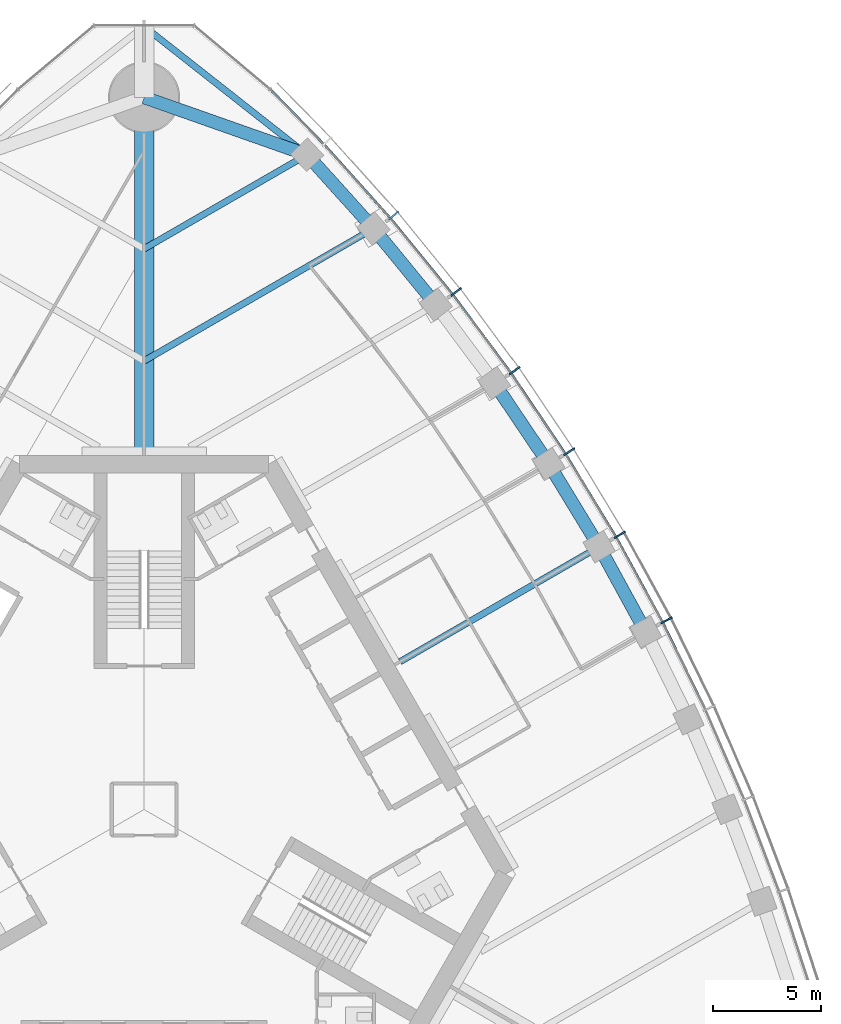
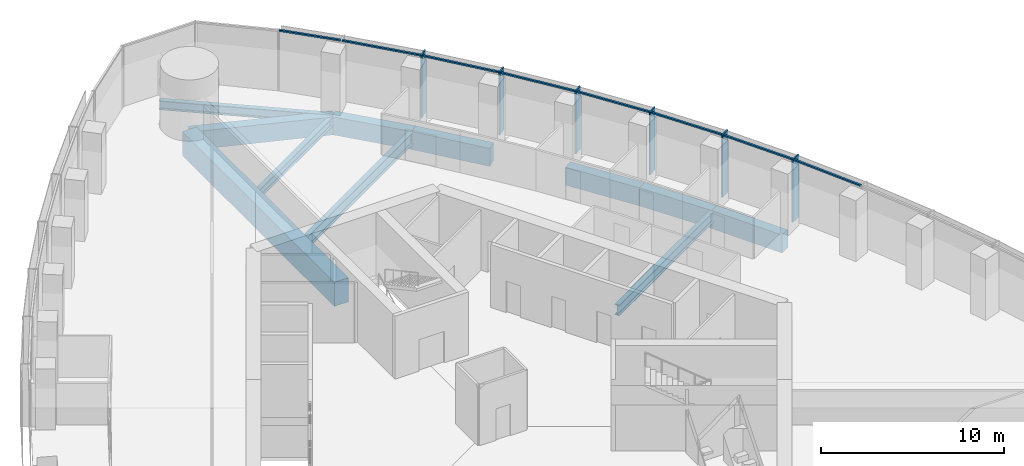
# One storey, part 7 of 20: 14 members, 11 beams, 1 element without a shape of its own.
"""IFC4 building model written with IfcOpenShell, lengths in metres."""

from ifc_helpers import new_model, si_unit, direction, frame, origin, origin_2d, place, context, subcontext, project, spatial, rectangle, i_section, extrude, material, material_profile, profile_set, type_object, element, aggregate, save


model = new_model("IFC4")

# Units and contexts
model_context = context("Model", 3, precision=1e-05, world=origin(), true_north=direction((0.0, 1.0)))
body_context = subcontext(model_context, "Body", "Model", "MODEL_VIEW")
ifc_project = project(units=[si_unit("LENGTHUNIT", "METRE"), si_unit("AREAUNIT", "SQUARE_METRE"), si_unit("VOLUMEUNIT", "CUBIC_METRE"), si_unit("PLANEANGLEUNIT", "RADIAN"), si_unit("MASSUNIT", "GRAM", prefix="KILO")], contexts=[model_context])

# Site, building, storey
site_placement = place(None, origin())
site = spatial("IfcSite", under=ifc_project, at=site_placement, CompositionType="ELEMENT")
building_placement = place(site_placement, origin())
building = spatial("IfcBuilding", under=site, at=building_placement, Name="Trefoil Bronze Tower", CompositionType="ELEMENT")
storey_placement = place(building_placement, frame((0.0, 0.0, 219.10009765625)))
storey = spatial("IfcBuildingStorey", under=building, at=storey_placement, Name="L50", CompositionType="ELEMENT", Elevation=219.10009765625)

# Curtain wall, members
ifc_material_1 = material(Name="Tinted solar-control glass", Category="glass")
curtain_wall_type = type_object("IfcCurtainWallType", Name="Bronze office curtain wall", PredefinedType="USERDEFINED", material=ifc_material_1)
curtain_wall_placement = place(storey_placement, origin())
curtain_wall = element("IfcCurtainWall", 1, at=curtain_wall_placement, inside=storey, type_object=curtain_wall_type, Name="CW-A L50 F2", ObjectType="CURTAIN WALL", PredefinedType="USERDEFINED")
ifc_material_2 = material(Name="Bronze-finish aluminium", Category="aluminium")
ifc_material_profile_1 = material_profile(ifc_material_2, rectangle(XDim=0.60009765625, YDim=0.080078125, at=origin_2d()), Name="CW-A mullion")
ifc_profile_set_1 = profile_set([ifc_material_profile_1], Name="Bronze-finish aluminium")
member_type_1 = type_object("IfcMemberType", Name="Bronze office curtain wall mullion", PredefinedType="MULLION", material=ifc_profile_set_1)
member_1_placement = place(storey_placement, frame((24.2080078125, 8.764404296875, 0.0), z_axis=(0.0, 0.0, 1.0), x_axis=(-0.888088206965, -0.459673075837, 0.0)))
member_1 = element("IfcMember", 2, at=member_1_placement, type_object=member_type_1, Name="CW-A L50 F2 mullion 6", PredefinedType="MULLION", context=body_context, shape_type="SweptSolid", body=[
    extrude(rectangle(XDim=0.60009765625, YDim=0.080078125, at=origin_2d()), origin(), (0.0, 0.0, 1.0), 4.179931640625),
])
member_2_placement = place(storey_placement, frame((22.041015625, 12.725341796875, 0.0), z_axis=(0.0, 0.0, 1.0), x_axis=(-0.866025403784, -0.5, 0.0)))
member_2 = element("IfcMember", 3, at=member_2_placement, type_object=member_type_1, Name="CW-A L50 F2 mullion 7", PredefinedType="MULLION", context=body_context, shape_type="SweptSolid", body=[
    extrude(rectangle(XDim=0.60009765625, YDim=0.080078125, at=origin_2d()), origin(), (0.0, 0.0, 1.0), 4.179931640625),
])
member_3_placement = place(storey_placement, frame((19.694091796875, 16.58251953125, 0.0), z_axis=(0.0, 0.0, 1.0), x_axis=(-0.842132664593, -0.539270410114, 0.0)))
member_3 = element("IfcMember", 4, at=member_3_placement, type_object=member_type_1, Name="CW-A L50 F2 mullion 8", PredefinedType="MULLION", context=body_context, shape_type="SweptSolid", body=[
    extrude(rectangle(XDim=0.60009765625, YDim=0.080078125, at=origin_2d()), origin(), (0.0, 0.0, 1.0), 4.179931640625),
])
member_4_placement = place(storey_placement, frame((17.167236328125, 20.335693359375, 0.0), z_axis=(0.0, 0.0, 1.0), x_axis=(-0.81640398396, -0.577481198806, 0.0)))
member_4 = element("IfcMember", 5, at=member_4_placement, type_object=member_type_1, Name="CW-A L50 F2 mullion 9", PredefinedType="MULLION", context=body_context, shape_type="SweptSolid", body=[
    extrude(rectangle(XDim=0.60009765625, YDim=0.080078125, at=origin_2d()), origin(), (0.0, 0.0, 1.0), 4.179931640625),
])
member_5_placement = place(storey_placement, frame((14.45849609375, 23.98388671875, 0.0), z_axis=(0.0, 0.0, 1.0), x_axis=(-0.788821461078, -0.614622406476, 0.0)))
member_5 = element("IfcMember", 6, at=member_5_placement, type_object=member_type_1, Name="CW-A L50 F2 mullion 10", PredefinedType="MULLION", context=body_context, shape_type="SweptSolid", body=[
    extrude(rectangle(XDim=0.60009765625, YDim=0.080078125, at=origin_2d()), origin(), (0.0, 0.0, 1.0), 4.179931640625),
])
member_6_placement = place(storey_placement, frame((11.564697265625, 27.525146484375, 0.0), z_axis=(0.0, 0.0, 1.0), x_axis=(-0.75935470958, -0.650676897576, 0.0)))
member_6 = element("IfcMember", 7, at=member_6_placement, type_object=member_type_1, Name="CW-A L50 F2 mullion 11", PredefinedType="MULLION", context=body_context, shape_type="SweptSolid", body=[
    extrude(rectangle(XDim=0.60009765625, YDim=0.080078125, at=origin_2d()), origin(), (0.0, 0.0, 1.0), 4.179931640625),
])
ifc_material_3 = material(Name="Bronze-finish aluminium", Category="aluminium")
ifc_material_profile_2 = material_profile(ifc_material_3, rectangle(XDim=0.1201171875, YDim=0.10009765625, at=origin_2d()), Name="CW-A transom")
ifc_profile_set_2 = profile_set([ifc_material_profile_2], Name="Bronze-finish aluminium")
member_type_2 = type_object("IfcMemberType", Name="Bronze office curtain wall transom", PredefinedType="USERDEFINED", material=ifc_profile_set_2)
member_7_placement = place(storey_placement, frame((25.99462890625, 4.65380859375, 4.1298828125), z_axis=(-0.439150835991, 0.898413347657, 0.0), x_axis=(-0.898413347657, -0.439150835991, 0.0)))
member_7 = element("IfcMember", 8, at=member_7_placement, type_object=member_type_2, Name="CW-A L50 F2 transom 5", ObjectType="TRANSOM", PredefinedType="USERDEFINED", context=body_context, shape_type="SweptSolid", body=[
    extrude(rectangle(XDim=0.1201171875, YDim=0.10009765625, at=origin_2d()), origin(), (0.0, 0.0, 1.0), 4.430908203125),
])
member_8_placement = place(storey_placement, frame((24.010009765625, 8.70947265625, 4.1298828125), z_axis=(-0.479973729071, 0.877282861683, 0.0), x_axis=(-0.877282861683, -0.479973729071, 0.0)))
member_8 = element("IfcMember", 9, at=member_8_placement, type_object=member_type_2, Name="CW-A L50 F2 transom 6", ObjectType="TRANSOM", PredefinedType="USERDEFINED", context=body_context, shape_type="SweptSolid", body=[
    extrude(rectangle(XDim=0.1201171875, YDim=0.10009765625, at=origin_2d()), origin(), (0.0, 0.0, 1.0), 4.421142578125),
])
member_9_placement = place(storey_placement, frame((21.845703125, 12.661376953125, 4.1298828125), z_axis=(-0.519740214649, 0.854324358354, 0.0), x_axis=(-0.854324358354, -0.519740214649, 0.0)))
member_9 = element("IfcMember", 10, at=member_9_placement, type_object=member_type_2, Name="CW-A L50 F2 transom 7", ObjectType="TRANSOM", PredefinedType="USERDEFINED", context=body_context, shape_type="SweptSolid", body=[
    extrude(rectangle(XDim=0.1201171875, YDim=0.10009765625, at=origin_2d()), origin(), (0.0, 0.0, 1.0), 4.421142578125),
])
member_10_placement = place(storey_placement, frame((19.502197265625, 16.509765625, 4.1298828125), z_axis=(-0.558509087547, 0.829498402125, 0.0), x_axis=(-0.829498402125, -0.558509087547, 0.0)))
member_10 = element("IfcMember", 11, at=member_10_placement, type_object=member_type_2, Name="CW-A L50 F2 transom 8", ObjectType="TRANSOM", PredefinedType="USERDEFINED", context=body_context, shape_type="SweptSolid", body=[
    extrude(rectangle(XDim=0.1201171875, YDim=0.10009765625, at=origin_2d()), origin(), (0.0, 0.0, 1.0), 4.4306640625),
])
member_11_placement = place(storey_placement, frame((16.978759765625, 20.254150390625, 4.1298828125), z_axis=(-0.59614822717, 0.802874393191, 0.0), x_axis=(-0.802874393191, -0.59614822717, 0.0)))
member_11 = element("IfcMember", 12, at=member_11_placement, type_object=member_type_2, Name="CW-A L50 F2 transom 9", ObjectType="TRANSOM", PredefinedType="USERDEFINED", context=body_context, shape_type="SweptSolid", body=[
    extrude(rectangle(XDim=0.1201171875, YDim=0.10009765625, at=origin_2d()), origin(), (0.0, 0.0, 1.0), 4.449951171875),
])
member_12_placement = place(storey_placement, frame((14.27392578125, 23.8935546875, 4.1298828125), z_axis=(-0.632756871921, 0.774350528531, 0.0), x_axis=(-0.774350528531, -0.632756871921, 0.0)))
member_12 = element("IfcMember", 13, at=member_12_placement, type_object=member_type_2, Name="CW-A L50 F2 transom 10", ObjectType="TRANSOM", PredefinedType="USERDEFINED", context=body_context, shape_type="SweptSolid", body=[
    extrude(rectangle(XDim=0.1201171875, YDim=0.10009765625, at=origin_2d()), origin(), (0.0, 0.0, 1.0), 4.4794921875),
])
member_13_placement = place(storey_placement, frame((11.384521484375, 27.426513671875, 4.1298828125), z_axis=(-0.66825109551, 0.743935799213, 0.0), x_axis=(-0.743935799213, -0.66825109551, 0.0)))
member_13 = element("IfcMember", 14, at=member_13_placement, type_object=member_type_2, Name="CW-A L50 F2 transom 11", ObjectType="TRANSOM", PredefinedType="USERDEFINED", context=body_context, shape_type="SweptSolid", body=[
    extrude(rectangle(XDim=0.1201171875, YDim=0.10009765625, at=origin_2d()), origin(), (0.0, 0.0, 1.0), 4.519287109375),
])
member_14_placement = place(storey_placement, frame((8.306884765625, 30.85009765625, 4.1298828125), z_axis=(-0.698646935368, 0.715466602785, 0.0), x_axis=(-0.715466602785, -0.698646935368, 0.0)))
member_14 = element("IfcMember", 15, at=member_14_placement, type_object=member_type_2, Name="CW-A L50 F2 transom 12", ObjectType="TRANSOM", PredefinedType="USERDEFINED", context=body_context, shape_type="SweptSolid", body=[
    extrude(rectangle(XDim=0.1201171875, YDim=0.10009765625, at=origin_2d()), origin(), (0.0, 0.0, 1.0), 3.483642578125),
])
aggregate(curtain_wall, [member_1, member_2, member_3, member_4, member_5, member_6, member_7, member_8, member_9, member_10, member_11, member_12, member_13, member_14])

# Beams
ifc_material_4 = material(Name="Steel C355", Category="steel")
ifc_material_profile_3 = material_profile(ifc_material_4, i_section(OverallWidth=0.300048828125, OverallDepth=0.60009765625, WebThickness=0.015380859375, FlangeThickness=0.030029296875, FilletRadius=0.027099609375, at=origin_2d()), Name="HEB 600")
ifc_profile_set_3 = profile_set([ifc_material_profile_3], Name="Steel C355")
beam_type_1 = type_object("IfcBeamType", Name="Corner edge beam HEB 600", PredefinedType="BEAM", material=ifc_profile_set_3)
beam_1_placement = place(storey_placement, frame((7.552001953125, 30.3408203125, -0.5), z_axis=(-0.785805912008, 0.618473175371, 0.0), x_axis=(-0.618473175371, -0.785805912008, 0.0)))
element("IfcBeam", 16, at=beam_1_placement, inside=storey, type_object=beam_type_1, Name="Corner edge beam F2A L50", PredefinedType="BEAM", context=body_context, shape_type="SweptSolid", body=[
    extrude(i_section(OverallWidth=0.300048828125, OverallDepth=0.60009765625, WebThickness=0.015380859375, FlangeThickness=0.030029296875, FilletRadius=0.027099609375, at=origin_2d()), origin(), (0.0, 0.0, 1.0), 9.610595703125),
])
ifc_material_5 = material(Name="Concrete B80", Category="concrete")
ifc_material_profile_4 = material_profile(ifc_material_5, rectangle(XDim=0.89990234375, YDim=1.60009765625, at=origin_2d()), Name="RC 900x1600")
ifc_profile_set_4 = profile_set([ifc_material_profile_4], Name="Concrete B80")
beam_type_2 = type_object("IfcBeamType", Name="Corner girder RC 900x1600", PredefinedType="BEAM", material=ifc_profile_set_4)
beam_2_placement = place(storey_placement, frame((0.0, 16.39990234375, -1.0), z_axis=(0.0, 1.0, 0.0), x_axis=(-1.0, 0.0, 0.0)))
element("IfcBeam", 17, at=beam_2_placement, inside=storey, type_object=beam_type_2, Name="Corner girder K2 L50", PredefinedType="BEAM", context=body_context, shape_type="SweptSolid", body=[
    extrude(rectangle(XDim=0.89990234375, YDim=1.60009765625, at=origin_2d()), origin(), (0.0, 0.0, 1.0), 16.60009765625),
])
ifc_material_6 = material(Name="Concrete B80", Category="concrete")
ifc_material_profile_5 = material_profile(ifc_material_6, rectangle(XDim=0.60009765625, YDim=1.199951171875, at=origin_2d()), Name="RC 600x1200")
ifc_profile_set_5 = profile_set([ifc_material_profile_5], Name="Concrete B80")
beam_type_3 = type_object("IfcBeamType", Name="End spandrel beam RC 600x1200", PredefinedType="SPANDREL", material=ifc_profile_set_5)
beam_3_placement = place(storey_placement, frame((7.552001953125, 30.3408203125, -0.800048828125), z_axis=(-0.943234397359, 0.332127794137, 0.0), x_axis=(-0.332127794137, -0.943234397359, 0.0)))
element("IfcBeam", 18, at=beam_3_placement, inside=storey, type_object=beam_type_3, Name="Spandrel F2.12 L50", PredefinedType="SPANDREL", context=body_context, shape_type="SweptSolid", body=[
    extrude(rectangle(XDim=0.60009765625, YDim=1.199951171875, at=origin_2d()), origin(), (0.0, 0.0, 1.0), 8.006591796875),
])
ifc_material_7 = material(Name="Steel C355", Category="steel")
ifc_material_profile_6 = material_profile(ifc_material_7, i_section(OverallWidth=0.300048828125, OverallDepth=0.590087890625, WebThickness=0.012939453125, FlangeThickness=0.02490234375, FilletRadius=0.027099609375, at=origin_2d()), Name="HEA 600")
ifc_profile_set_6 = profile_set([ifc_material_profile_6], Name="Steel C355")
beam_type_4 = type_object("IfcBeamType", Name="Floor beam HEA 600", PredefinedType="BEAM", material=ifc_profile_set_6)
beam_4_placement = place(storey_placement, frame((7.552001953125, 30.3408203125, -0.4951171875), z_axis=(-0.866027535932, -0.499996306993, 0.0), x_axis=(0.499996306993, -0.866027535932, 0.0)))
element("IfcBeam", 19, at=beam_4_placement, inside=storey, type_object=beam_type_4, Name="Floor beam F2/+5 L50", PredefinedType="BEAM", context=body_context, shape_type="SweptSolid", body=[
    extrude(i_section(OverallWidth=0.300048828125, OverallDepth=0.590087890625, WebThickness=0.012939453125, FlangeThickness=0.02490234375, FilletRadius=0.027099609375, at=origin_2d()), origin(), (0.0, 0.0, 1.0), 8.72021484375),
])
ifc_material_8 = material(Name="Steel C355", Category="steel")
ifc_material_profile_7 = material_profile(ifc_material_8, i_section(OverallWidth=0.300048828125, OverallDepth=0.699951171875, WebThickness=0.01708984375, FlangeThickness=0.031982421875, FilletRadius=0.027099609375, at=origin_2d()), Name="HEB 700")
ifc_profile_set_7 = profile_set([ifc_material_profile_7], Name="Steel C355")
beam_type_5 = type_object("IfcBeamType", Name="Floor beam HEB 700", PredefinedType="BEAM", material=ifc_profile_set_7)
beam_5_placement = place(storey_placement, frame((21.08837890625, 12.17529296875, -0.550048828125), z_axis=(-0.866034044198, -0.499985034066, 0.0), x_axis=(0.499985034066, -0.866034044198, 0.0)))
element("IfcBeam", 20, at=beam_5_placement, inside=storey, type_object=beam_type_5, Name="Floor beam F2/+0 L50", PredefinedType="BEAM", context=body_context, shape_type="SweptSolid", body=[
    extrude(i_section(OverallWidth=0.300048828125, OverallDepth=0.699951171875, WebThickness=0.01708984375, FlangeThickness=0.031982421875, FilletRadius=0.027099609375, at=origin_2d()), origin(), (0.0, 0.0, 1.0), 10.650634765625),
])
ifc_material_9 = material(Name="Steel C355", Category="steel")
ifc_material_profile_8 = material_profile(ifc_material_9, i_section(OverallWidth=0.300048828125, OverallDepth=0.800048828125, WebThickness=0.017578125, FlangeThickness=0.032958984375, FilletRadius=0.030029296875, at=origin_2d()), Name="HEB 800")
ifc_profile_set_8 = profile_set([ifc_material_profile_8], Name="Steel C355")
beam_type_6 = type_object("IfcBeamType", Name="Floor beam HEB 800", PredefinedType="BEAM", material=ifc_profile_set_8)
beam_6_placement = place(storey_placement, frame((10.632080078125, 26.923095703125, -0.60009765625), z_axis=(-0.866025635187, -0.499999599199, 0.0), x_axis=(0.499999599199, -0.866025635187, 0.0)))
element("IfcBeam", 21, at=beam_6_placement, inside=storey, type_object=beam_type_6, Name="Floor beam F2/+4 L50", PredefinedType="BEAM", context=body_context, shape_type="SweptSolid", body=[
    extrude(i_section(OverallWidth=0.300048828125, OverallDepth=0.800048828125, WebThickness=0.017578125, FlangeThickness=0.032958984375, FilletRadius=0.030029296875, at=origin_2d()), origin(), (0.0, 0.0, 1.0), 12.27685546875),
])
ifc_material_10 = material(Name="Concrete B80", Category="concrete")
ifc_material_profile_9 = material_profile(ifc_material_10, rectangle(XDim=0.60009765625, YDim=1.199951171875, at=origin_2d()), Name="RC 600x1200")
ifc_profile_set_9 = profile_set([ifc_material_profile_9], Name="Concrete B80")
beam_type_7 = type_object("IfcBeamType", Name="Spandrel beam RC 600x1200", PredefinedType="SPANDREL", material=ifc_profile_set_9)
for number, where, z_axis, x_axis, name in (
    (22, (23.248046875, 8.22607421875, -0.800048828125), (-0.479801903802, 0.87737684783, 0.0), (-0.87737684783, -0.479801903802, 0.0), "Spandrel F2.6 L50"),
    (23, (21.08837890625, 12.17529296875, -0.800048828125), (-0.519933181394, 0.854206934464, 0.0), (-0.854206934464, -0.519933181394, 0.0), "Spandrel F2.7 L50"),
):
    element("IfcBeam", number, at=place(storey_placement, frame(where, z_axis=z_axis, x_axis=x_axis)), inside=storey, type_object=beam_type_7, Name=name, PredefinedType="SPANDREL", context=body_context, shape_type="SweptSolid", body=[
        extrude(rectangle(XDim=0.60009765625, YDim=1.199951171875, at=origin_2d()), origin(), (0.0, 0.0, 1.0), 4.501220703125),
    ])
beam_7_placement = place(storey_placement, frame((18.748046875, 16.020263671875, -0.800048828125), z_axis=(-0.558964302753, 0.829191719838, 0.0), x_axis=(-0.829191719838, -0.558964302753, 0.0)))
element("IfcBeam", 24, at=beam_7_placement, inside=storey, type_object=beam_type_7, Name="Spandrel F2.8 L50", PredefinedType="SPANDREL", context=body_context, shape_type="SweptSolid", body=[
    extrude(rectangle(XDim=0.60009765625, YDim=1.199951171875, at=origin_2d()), origin(), (0.0, 0.0, 1.0), 4.510986328125),
])
beam_8_placement = place(storey_placement, frame((13.522216796875, 23.3955078125, -0.800048828125), z_axis=(-0.633753657863, 0.773534938542, 0.0), x_axis=(-0.773534938542, -0.633753657863, 0.0)))
element("IfcBeam", 25, at=beam_8_placement, inside=storey, type_object=beam_type_7, Name="Spandrel F2.10 L50", PredefinedType="SPANDREL", context=body_context, shape_type="SweptSolid", body=[
    extrude(rectangle(XDim=0.60009765625, YDim=1.199951171875, at=origin_2d()), origin(), (0.0, 0.0, 1.0), 4.560302734375),
])
beam_9_placement = place(storey_placement, frame((10.632080078125, 26.923095703125, -0.800048828125), z_axis=(-0.669460045872, 0.742848064534, 0.0), x_axis=(-0.742848064534, -0.669460045872, 0.0)))
element("IfcBeam", 26, at=beam_9_placement, inside=storey, type_object=beam_type_7, Name="Spandrel F2.11 L50", PredefinedType="SPANDREL", context=body_context, shape_type="SweptSolid", body=[
    extrude(rectangle(XDim=0.60009765625, YDim=1.199951171875, at=origin_2d()), origin(), (0.0, 0.0, 1.0), 4.600830078125),
])

save(model, "model.ifc")
